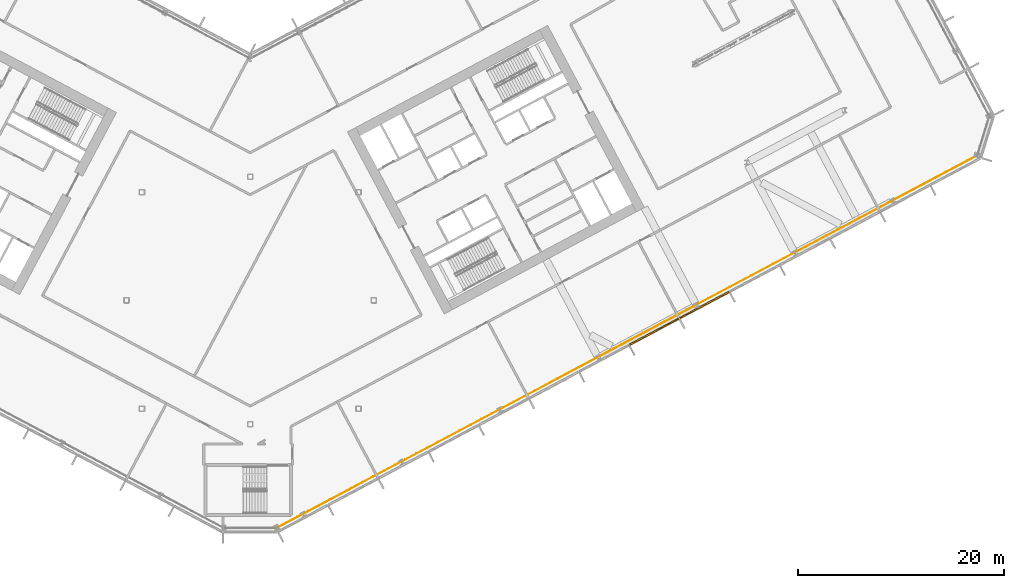
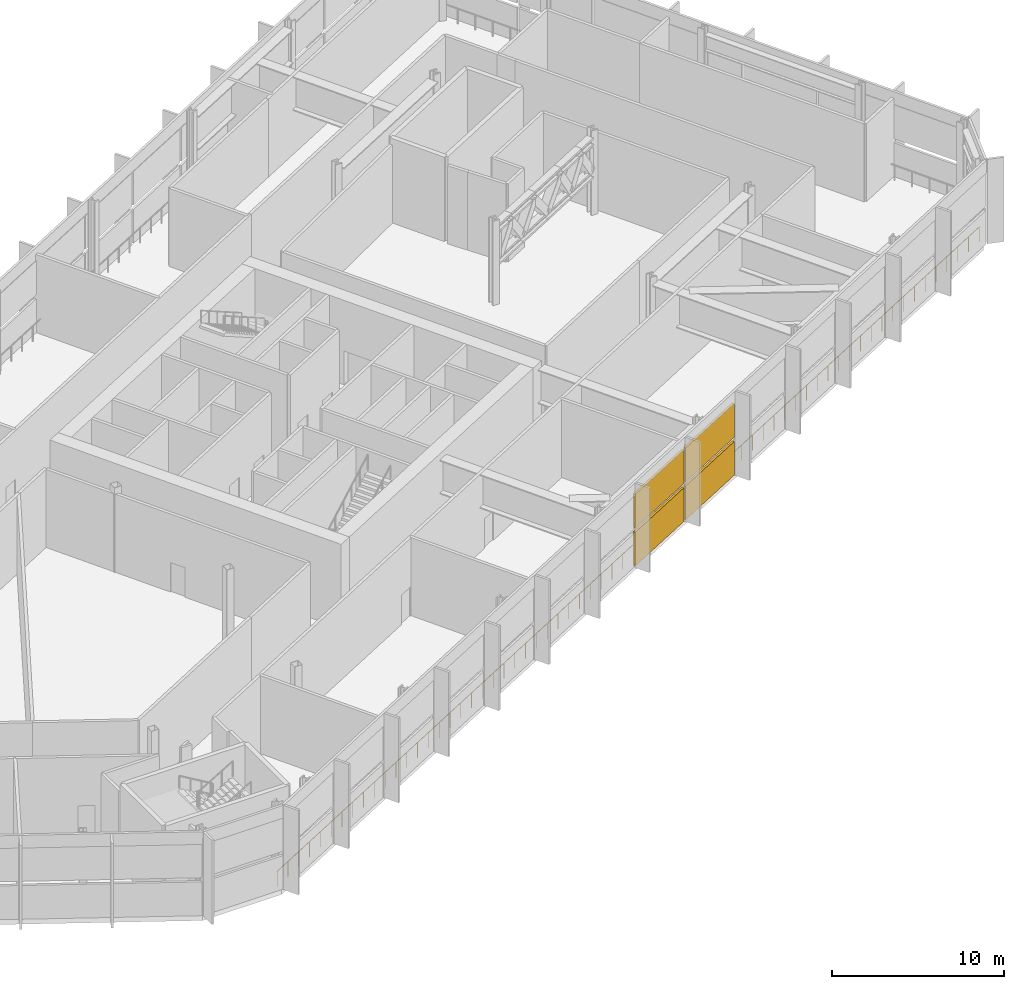
# One storey, part 28 of 33: 4 shading devices, 1 railing, 1 element without a shape of its own.
"""IFC4 building model written with IfcOpenShell, lengths in metres."""

from ifc_helpers import new_model, si_unit, direction, frame, origin, origin_2d, place, context, subcontext, project, spatial, polyline, rectangle, outline, extrude, material, layer, layer_set, type_object, element, aggregate, save


model = new_model("IFC4")

# Units and contexts
model_context = context("Model", 3, precision=1e-05, world=origin(), true_north=direction((0.0, 1.0)))
body_context = subcontext(model_context, "Body", "Model", "MODEL_VIEW")
ifc_project = project(units=[si_unit("LENGTHUNIT", "METRE"), si_unit("AREAUNIT", "SQUARE_METRE"), si_unit("VOLUMEUNIT", "CUBIC_METRE"), si_unit("PLANEANGLEUNIT", "RADIAN"), si_unit("MASSUNIT", "GRAM", prefix="KILO")], contexts=[model_context])

# Site, building, storey
site_placement = place(None, origin())
site = spatial("IfcSite", under=ifc_project, at=site_placement, CompositionType="ELEMENT")
building_placement = place(site_placement, origin())
building = spatial("IfcBuilding", under=site, at=building_placement, Name="Cormorant Relay Tower", CompositionType="ELEMENT")
storey_placement = place(building_placement, frame((0.0, 0.0, 112.199951171875)))
storey = spatial("IfcBuildingStorey", under=building, at=storey_placement, Name="L22", CompositionType="ELEMENT", Elevation=112.199951171875)

# Railing
ifc_material_1 = material(Name="Stainless steel 316 guard", Category="steel")
railing_type = type_object("IfcRailingType", Name="Band louvre guard 1100", PredefinedType="GUARDRAIL", material=ifc_material_1)
railing_placement = place(storey_placement, frame((2.508056640625, -22.110595703125, 0.0)))
element("IfcRailing", 1, at=railing_placement, inside=storey, type_object=railing_type, Name="CW4 guard 2", PredefinedType="GUARDRAIL", context=body_context, shape_type="SweptSolid", body=[
    extrude(outline(polyline([(0.022216796875, 0.00927734375), (0.00927734375, 0.022216796875), (-0.00927734375, 0.022216796875), (-0.022216796875, 0.00927734375), (-0.022216796875, -0.00927734375), (-0.00927734375, -0.022216796875), (0.00927734375, -0.022216796875), (0.022216796875, -0.00927734375), (0.022216796875, 0.00927734375)])), frame((0.0, 0.0, 1.076171875), z_axis=(0.882947957359, 0.469470877261, 0.0), x_axis=(-0.469470877261, 0.882947957359, 0.0)), (0.0, 0.0, 1.0), 77.165771484375),
    extrude(outline(polyline([(0.019287109375, 0.008056640625), (0.008056640625, 0.019287109375), (-0.008056640625, 0.019287109375), (-0.019287109375, 0.008056640625), (-0.019287109375, -0.008056640625), (-0.008056640625, -0.019287109375), (0.008056640625, -0.019287109375), (0.019287109375, -0.008056640625), (0.019287109375, 0.008056640625)])), origin(), (0.0, 0.0, 1.0), 1.052001953125),
    extrude(outline(polyline([(0.019287109375, 0.008056640625), (0.008056640625, 0.019287109375), (-0.008056640625, 0.019287109375), (-0.019287109375, 0.008056640625), (-0.019287109375, -0.008056640625), (-0.008056640625, -0.019287109375), (0.008056640625, -0.019287109375), (0.019287109375, -0.008056640625), (0.019287109375, 0.008056640625)])), frame((1.048095703125, 0.557373046875, 0.0)), (0.0, 0.0, 1.0), 1.052001953125),
    extrude(outline(polyline([(0.019287109375, 0.008056640625), (0.008056640625, 0.019287109375), (-0.008056640625, 0.019287109375), (-0.019287109375, 0.008056640625), (-0.019287109375, -0.008056640625), (-0.008056640625, -0.019287109375), (0.008056640625, -0.019287109375), (0.019287109375, -0.008056640625), (0.019287109375, 0.008056640625)])), frame((2.096435546875, 1.11474609375, 0.0)), (0.0, 0.0, 1.0), 1.052001953125),
    extrude(outline(polyline([(0.019287109375, 0.008056640625), (0.008056640625, 0.019287109375), (-0.008056640625, 0.019287109375), (-0.019287109375, 0.008056640625), (-0.019287109375, -0.008056640625), (-0.008056640625, -0.019287109375), (0.008056640625, -0.019287109375), (0.019287109375, -0.008056640625), (0.019287109375, 0.008056640625)])), frame((3.14453125, 1.672119140625, 0.0)), (0.0, 0.0, 1.0), 1.052001953125),
    extrude(outline(polyline([(0.019287109375, 0.008056640625), (0.008056640625, 0.019287109375), (-0.008056640625, 0.019287109375), (-0.019287109375, 0.008056640625), (-0.019287109375, -0.008056640625), (-0.008056640625, -0.019287109375), (0.008056640625, -0.019287109375), (0.019287109375, -0.008056640625), (0.019287109375, 0.008056640625)])), frame((4.19287109375, 2.229248046875, 0.0)), (0.0, 0.0, 1.0), 1.052001953125),
    extrude(outline(polyline([(0.019287109375, 0.008056640625), (0.008056640625, 0.019287109375), (-0.008056640625, 0.019287109375), (-0.019287109375, 0.008056640625), (-0.019287109375, -0.008056640625), (-0.008056640625, -0.019287109375), (0.008056640625, -0.019287109375), (0.019287109375, -0.008056640625), (0.019287109375, 0.008056640625)])), frame((5.240966796875, 2.78662109375, 0.0)), (0.0, 0.0, 1.0), 1.052001953125),
    extrude(outline(polyline([(0.019287109375, 0.008056640625), (0.008056640625, 0.019287109375), (-0.008056640625, 0.019287109375), (-0.019287109375, 0.008056640625), (-0.019287109375, -0.008056640625), (-0.008056640625, -0.019287109375), (0.008056640625, -0.019287109375), (0.019287109375, -0.008056640625), (0.019287109375, 0.008056640625)])), frame((6.289306640625, 3.343994140625, 0.0)), (0.0, 0.0, 1.0), 1.052001953125),
    extrude(outline(polyline([(0.019287109375, 0.008056640625), (0.008056640625, 0.019287109375), (-0.008056640625, 0.019287109375), (-0.019287109375, 0.008056640625), (-0.019287109375, -0.008056640625), (-0.008056640625, -0.019287109375), (0.008056640625, -0.019287109375), (0.019287109375, -0.008056640625), (0.019287109375, 0.008056640625)])), frame((7.33740234375, 3.9013671875, 0.0)), (0.0, 0.0, 1.0), 1.052001953125),
    extrude(outline(polyline([(0.019287109375, 0.008056640625), (0.008056640625, 0.019287109375), (-0.008056640625, 0.019287109375), (-0.019287109375, 0.008056640625), (-0.019287109375, -0.008056640625), (-0.008056640625, -0.019287109375), (0.008056640625, -0.019287109375), (0.019287109375, -0.008056640625), (0.019287109375, 0.008056640625)])), frame((8.3857421875, 4.458740234375, 0.0)), (0.0, 0.0, 1.0), 1.052001953125),
    extrude(outline(polyline([(0.019287109375, 0.008056640625), (0.008056640625, 0.019287109375), (-0.008056640625, 0.019287109375), (-0.019287109375, 0.008056640625), (-0.019287109375, -0.008056640625), (-0.008056640625, -0.019287109375), (0.008056640625, -0.019287109375), (0.019287109375, -0.008056640625), (0.019287109375, 0.008056640625)])), frame((9.433837890625, 5.01611328125, 0.0)), (0.0, 0.0, 1.0), 1.052001953125),
    extrude(outline(polyline([(0.019287109375, 0.008056640625), (0.008056640625, 0.019287109375), (-0.008056640625, 0.019287109375), (-0.019287109375, 0.008056640625), (-0.019287109375, -0.008056640625), (-0.008056640625, -0.019287109375), (0.008056640625, -0.019287109375), (0.019287109375, -0.008056640625), (0.019287109375, 0.008056640625)])), frame((10.48193359375, 5.573486328125, 0.0)), (0.0, 0.0, 1.0), 1.052001953125),
    extrude(outline(polyline([(0.019287109375, 0.008056640625), (0.008056640625, 0.019287109375), (-0.008056640625, 0.019287109375), (-0.019287109375, 0.008056640625), (-0.019287109375, -0.008056640625), (-0.008056640625, -0.019287109375), (0.008056640625, -0.019287109375), (0.019287109375, -0.008056640625), (0.019287109375, 0.008056640625)])), frame((11.5302734375, 6.130615234375, 0.0)), (0.0, 0.0, 1.0), 1.052001953125),
    extrude(outline(polyline([(0.019287109375, 0.008056640625), (0.008056640625, 0.019287109375), (-0.008056640625, 0.019287109375), (-0.019287109375, 0.008056640625), (-0.019287109375, -0.008056640625), (-0.008056640625, -0.019287109375), (0.008056640625, -0.019287109375), (0.019287109375, -0.008056640625), (0.019287109375, 0.008056640625)])), frame((12.578369140625, 6.68798828125, 0.0)), (0.0, 0.0, 1.0), 1.052001953125),
    extrude(outline(polyline([(0.019287109375, 0.008056640625), (0.008056640625, 0.019287109375), (-0.008056640625, 0.019287109375), (-0.019287109375, 0.008056640625), (-0.019287109375, -0.008056640625), (-0.008056640625, -0.019287109375), (0.008056640625, -0.019287109375), (0.019287109375, -0.008056640625), (0.019287109375, 0.008056640625)])), frame((13.626708984375, 7.245361328125, 0.0)), (0.0, 0.0, 1.0), 1.052001953125),
    extrude(outline(polyline([(0.019287109375, 0.008056640625), (0.008056640625, 0.019287109375), (-0.008056640625, 0.019287109375), (-0.019287109375, 0.008056640625), (-0.019287109375, -0.008056640625), (-0.008056640625, -0.019287109375), (0.008056640625, -0.019287109375), (0.019287109375, -0.008056640625), (0.019287109375, 0.008056640625)])), frame((14.6748046875, 7.802734375, 0.0)), (0.0, 0.0, 1.0), 1.052001953125),
    extrude(outline(polyline([(0.019287109375, 0.008056640625), (0.008056640625, 0.019287109375), (-0.008056640625, 0.019287109375), (-0.019287109375, 0.008056640625), (-0.019287109375, -0.008056640625), (-0.008056640625, -0.019287109375), (0.008056640625, -0.019287109375), (0.019287109375, -0.008056640625), (0.019287109375, 0.008056640625)])), frame((15.72314453125, 8.360107421875, 0.0)), (0.0, 0.0, 1.0), 1.052001953125),
    extrude(outline(polyline([(0.019287109375, 0.008056640625), (0.008056640625, 0.019287109375), (-0.008056640625, 0.019287109375), (-0.019287109375, 0.008056640625), (-0.019287109375, -0.008056640625), (-0.008056640625, -0.019287109375), (0.008056640625, -0.019287109375), (0.019287109375, -0.008056640625), (0.019287109375, 0.008056640625)])), frame((16.771240234375, 8.91748046875, 0.0)), (0.0, 0.0, 1.0), 1.052001953125),
    extrude(outline(polyline([(0.019287109375, 0.008056640625), (0.008056640625, 0.019287109375), (-0.008056640625, 0.019287109375), (-0.019287109375, 0.008056640625), (-0.019287109375, -0.008056640625), (-0.008056640625, -0.019287109375), (0.008056640625, -0.019287109375), (0.019287109375, -0.008056640625), (0.019287109375, 0.008056640625)])), frame((17.819580078125, 9.474853515625, 0.0)), (0.0, 0.0, 1.0), 1.052001953125),
    extrude(outline(polyline([(0.019287109375, 0.008056640625), (0.008056640625, 0.019287109375), (-0.008056640625, 0.019287109375), (-0.019287109375, 0.008056640625), (-0.019287109375, -0.008056640625), (-0.008056640625, -0.019287109375), (0.008056640625, -0.019287109375), (0.019287109375, -0.008056640625), (0.019287109375, 0.008056640625)])), frame((18.86767578125, 10.0322265625, 0.0)), (0.0, 0.0, 1.0), 1.052001953125),
    extrude(outline(polyline([(0.019287109375, 0.008056640625), (0.008056640625, 0.019287109375), (-0.008056640625, 0.019287109375), (-0.019287109375, 0.008056640625), (-0.019287109375, -0.008056640625), (-0.008056640625, -0.019287109375), (0.008056640625, -0.019287109375), (0.019287109375, -0.008056640625), (0.019287109375, 0.008056640625)])), frame((19.915771484375, 10.58935546875, 0.0)), (0.0, 0.0, 1.0), 1.052001953125),
    extrude(outline(polyline([(0.019287109375, 0.008056640625), (0.008056640625, 0.019287109375), (-0.008056640625, 0.019287109375), (-0.019287109375, 0.008056640625), (-0.019287109375, -0.008056640625), (-0.008056640625, -0.019287109375), (0.008056640625, -0.019287109375), (0.019287109375, -0.008056640625), (0.019287109375, 0.008056640625)])), frame((20.964111328125, 11.146728515625, 0.0)), (0.0, 0.0, 1.0), 1.052001953125),
    extrude(outline(polyline([(0.019287109375, 0.008056640625), (0.008056640625, 0.019287109375), (-0.008056640625, 0.019287109375), (-0.019287109375, 0.008056640625), (-0.019287109375, -0.008056640625), (-0.008056640625, -0.019287109375), (0.008056640625, -0.019287109375), (0.019287109375, -0.008056640625), (0.019287109375, 0.008056640625)])), frame((22.01220703125, 11.7041015625, 0.0)), (0.0, 0.0, 1.0), 1.052001953125),
    extrude(outline(polyline([(0.019287109375, 0.008056640625), (0.008056640625, 0.019287109375), (-0.008056640625, 0.019287109375), (-0.019287109375, 0.008056640625), (-0.019287109375, -0.008056640625), (-0.008056640625, -0.019287109375), (0.008056640625, -0.019287109375), (0.019287109375, -0.008056640625), (0.019287109375, 0.008056640625)])), frame((23.060546875, 12.261474609375, 0.0)), (0.0, 0.0, 1.0), 1.052001953125),
    extrude(outline(polyline([(0.019287109375, 0.008056640625), (0.008056640625, 0.019287109375), (-0.008056640625, 0.019287109375), (-0.019287109375, 0.008056640625), (-0.019287109375, -0.008056640625), (-0.008056640625, -0.019287109375), (0.008056640625, -0.019287109375), (0.019287109375, -0.008056640625), (0.019287109375, 0.008056640625)])), frame((24.108642578125, 12.81884765625, 0.0)), (0.0, 0.0, 1.0), 1.052001953125),
    extrude(outline(polyline([(0.019287109375, 0.008056640625), (0.008056640625, 0.019287109375), (-0.008056640625, 0.019287109375), (-0.019287109375, 0.008056640625), (-0.019287109375, -0.008056640625), (-0.008056640625, -0.019287109375), (0.008056640625, -0.019287109375), (0.019287109375, -0.008056640625), (0.019287109375, 0.008056640625)])), frame((25.156982421875, 13.376220703125, 0.0)), (0.0, 0.0, 1.0), 1.052001953125),
    extrude(outline(polyline([(0.019287109375, 0.008056640625), (0.008056640625, 0.019287109375), (-0.008056640625, 0.019287109375), (-0.019287109375, 0.008056640625), (-0.019287109375, -0.008056640625), (-0.008056640625, -0.019287109375), (0.008056640625, -0.019287109375), (0.019287109375, -0.008056640625), (0.019287109375, 0.008056640625)])), frame((26.205078125, 13.93359375, 0.0)), (0.0, 0.0, 1.0), 1.052001953125),
    extrude(outline(polyline([(0.019287109375, 0.008056640625), (0.008056640625, 0.019287109375), (-0.008056640625, 0.019287109375), (-0.019287109375, 0.008056640625), (-0.019287109375, -0.008056640625), (-0.008056640625, -0.019287109375), (0.008056640625, -0.019287109375), (0.019287109375, -0.008056640625), (0.019287109375, 0.008056640625)])), frame((27.25341796875, 14.49072265625, 0.0)), (0.0, 0.0, 1.0), 1.052001953125),
    extrude(outline(polyline([(0.019287109375, 0.008056640625), (0.008056640625, 0.019287109375), (-0.008056640625, 0.019287109375), (-0.019287109375, 0.008056640625), (-0.019287109375, -0.008056640625), (-0.008056640625, -0.019287109375), (0.008056640625, -0.019287109375), (0.019287109375, -0.008056640625), (0.019287109375, 0.008056640625)])), frame((28.301513671875, 15.048095703125, 0.0)), (0.0, 0.0, 1.0), 1.052001953125),
    extrude(outline(polyline([(0.019287109375, 0.008056640625), (0.008056640625, 0.019287109375), (-0.008056640625, 0.019287109375), (-0.019287109375, 0.008056640625), (-0.019287109375, -0.008056640625), (-0.008056640625, -0.019287109375), (0.008056640625, -0.019287109375), (0.019287109375, -0.008056640625), (0.019287109375, 0.008056640625)])), frame((29.349609375, 15.60546875, 0.0)), (0.0, 0.0, 1.0), 1.052001953125),
    extrude(outline(polyline([(0.019287109375, 0.008056640625), (0.008056640625, 0.019287109375), (-0.008056640625, 0.019287109375), (-0.019287109375, 0.008056640625), (-0.019287109375, -0.008056640625), (-0.008056640625, -0.019287109375), (0.008056640625, -0.019287109375), (0.019287109375, -0.008056640625), (0.019287109375, 0.008056640625)])), frame((30.39794921875, 16.162841796875, 0.0)), (0.0, 0.0, 1.0), 1.052001953125),
    extrude(outline(polyline([(0.019287109375, 0.008056640625), (0.008056640625, 0.019287109375), (-0.008056640625, 0.019287109375), (-0.019287109375, 0.008056640625), (-0.019287109375, -0.008056640625), (-0.008056640625, -0.019287109375), (0.008056640625, -0.019287109375), (0.019287109375, -0.008056640625), (0.019287109375, 0.008056640625)])), frame((31.446044921875, 16.72021484375, 0.0)), (0.0, 0.0, 1.0), 1.052001953125),
    extrude(outline(polyline([(0.019287109375, 0.008056640625), (0.008056640625, 0.019287109375), (-0.008056640625, 0.019287109375), (-0.019287109375, 0.008056640625), (-0.019287109375, -0.008056640625), (-0.008056640625, -0.019287109375), (0.008056640625, -0.019287109375), (0.019287109375, -0.008056640625), (0.019287109375, 0.008056640625)])), frame((32.494384765625, 17.277587890625, 0.0)), (0.0, 0.0, 1.0), 1.052001953125),
    extrude(outline(polyline([(0.019287109375, 0.008056640625), (0.008056640625, 0.019287109375), (-0.008056640625, 0.019287109375), (-0.019287109375, 0.008056640625), (-0.019287109375, -0.008056640625), (-0.008056640625, -0.019287109375), (0.008056640625, -0.019287109375), (0.019287109375, -0.008056640625), (0.019287109375, 0.008056640625)])), frame((33.54248046875, 17.8349609375, 0.0)), (0.0, 0.0, 1.0), 1.052001953125),
    extrude(outline(polyline([(0.019287109375, 0.008056640625), (0.008056640625, 0.019287109375), (-0.008056640625, 0.019287109375), (-0.019287109375, 0.008056640625), (-0.019287109375, -0.008056640625), (-0.008056640625, -0.019287109375), (0.008056640625, -0.019287109375), (0.019287109375, -0.008056640625), (0.019287109375, 0.008056640625)])), frame((34.5908203125, 18.39208984375, 0.0)), (0.0, 0.0, 1.0), 1.052001953125),
    extrude(outline(polyline([(0.019287109375, 0.008056640625), (0.008056640625, 0.019287109375), (-0.008056640625, 0.019287109375), (-0.019287109375, 0.008056640625), (-0.019287109375, -0.008056640625), (-0.008056640625, -0.019287109375), (0.008056640625, -0.019287109375), (0.019287109375, -0.008056640625), (0.019287109375, 0.008056640625)])), frame((35.638916015625, 18.949462890625, 0.0)), (0.0, 0.0, 1.0), 1.052001953125),
    extrude(outline(polyline([(0.019287109375, 0.008056640625), (0.008056640625, 0.019287109375), (-0.008056640625, 0.019287109375), (-0.019287109375, 0.008056640625), (-0.019287109375, -0.008056640625), (-0.008056640625, -0.019287109375), (0.008056640625, -0.019287109375), (0.019287109375, -0.008056640625), (0.019287109375, 0.008056640625)])), frame((36.687255859375, 19.5068359375, 0.0)), (0.0, 0.0, 1.0), 1.052001953125),
    extrude(outline(polyline([(0.019287109375, 0.008056640625), (0.008056640625, 0.019287109375), (-0.008056640625, 0.019287109375), (-0.019287109375, 0.008056640625), (-0.019287109375, -0.008056640625), (-0.008056640625, -0.019287109375), (0.008056640625, -0.019287109375), (0.019287109375, -0.008056640625), (0.019287109375, 0.008056640625)])), frame((37.7353515625, 20.064208984375, 0.0)), (0.0, 0.0, 1.0), 1.052001953125),
    extrude(outline(polyline([(0.019287109375, 0.008056640625), (0.008056640625, 0.019287109375), (-0.008056640625, 0.019287109375), (-0.019287109375, 0.008056640625), (-0.019287109375, -0.008056640625), (-0.008056640625, -0.019287109375), (0.008056640625, -0.019287109375), (0.019287109375, -0.008056640625), (0.019287109375, 0.008056640625)])), frame((38.78369140625, 20.62158203125, 0.0)), (0.0, 0.0, 1.0), 1.052001953125),
    extrude(outline(polyline([(0.019287109375, 0.008056640625), (0.008056640625, 0.019287109375), (-0.008056640625, 0.019287109375), (-0.019287109375, 0.008056640625), (-0.019287109375, -0.008056640625), (-0.008056640625, -0.019287109375), (0.008056640625, -0.019287109375), (0.019287109375, -0.008056640625), (0.019287109375, 0.008056640625)])), frame((39.831787109375, 21.178955078125, 0.0)), (0.0, 0.0, 1.0), 1.052001953125),
    extrude(outline(polyline([(0.019287109375, 0.008056640625), (0.008056640625, 0.019287109375), (-0.008056640625, 0.019287109375), (-0.019287109375, 0.008056640625), (-0.019287109375, -0.008056640625), (-0.008056640625, -0.019287109375), (0.008056640625, -0.019287109375), (0.019287109375, -0.008056640625), (0.019287109375, 0.008056640625)])), frame((40.8798828125, 21.736328125, 0.0)), (0.0, 0.0, 1.0), 1.052001953125),
    extrude(outline(polyline([(0.019287109375, 0.008056640625), (0.008056640625, 0.019287109375), (-0.008056640625, 0.019287109375), (-0.019287109375, 0.008056640625), (-0.019287109375, -0.008056640625), (-0.008056640625, -0.019287109375), (0.008056640625, -0.019287109375), (0.019287109375, -0.008056640625), (0.019287109375, 0.008056640625)])), frame((41.92822265625, 22.29345703125, 0.0)), (0.0, 0.0, 1.0), 1.052001953125),
    extrude(outline(polyline([(0.019287109375, 0.008056640625), (0.008056640625, 0.019287109375), (-0.008056640625, 0.019287109375), (-0.019287109375, 0.008056640625), (-0.019287109375, -0.008056640625), (-0.008056640625, -0.019287109375), (0.008056640625, -0.019287109375), (0.019287109375, -0.008056640625), (0.019287109375, 0.008056640625)])), frame((42.976318359375, 22.850830078125, 0.0)), (0.0, 0.0, 1.0), 1.052001953125),
    extrude(outline(polyline([(0.019287109375, 0.008056640625), (0.008056640625, 0.019287109375), (-0.008056640625, 0.019287109375), (-0.019287109375, 0.008056640625), (-0.019287109375, -0.008056640625), (-0.008056640625, -0.019287109375), (0.008056640625, -0.019287109375), (0.019287109375, -0.008056640625), (0.019287109375, 0.008056640625)])), frame((44.024658203125, 23.408203125, 0.0)), (0.0, 0.0, 1.0), 1.052001953125),
    extrude(outline(polyline([(0.019287109375, 0.008056640625), (0.008056640625, 0.019287109375), (-0.008056640625, 0.019287109375), (-0.019287109375, 0.008056640625), (-0.019287109375, -0.008056640625), (-0.008056640625, -0.019287109375), (0.008056640625, -0.019287109375), (0.019287109375, -0.008056640625), (0.019287109375, 0.008056640625)])), frame((45.07275390625, 23.965576171875, 0.0)), (0.0, 0.0, 1.0), 1.052001953125),
    extrude(outline(polyline([(0.019287109375, 0.008056640625), (0.008056640625, 0.019287109375), (-0.008056640625, 0.019287109375), (-0.019287109375, 0.008056640625), (-0.019287109375, -0.008056640625), (-0.008056640625, -0.019287109375), (0.008056640625, -0.019287109375), (0.019287109375, -0.008056640625), (0.019287109375, 0.008056640625)])), frame((46.12109375, 24.52294921875, 0.0)), (0.0, 0.0, 1.0), 1.052001953125),
    extrude(outline(polyline([(0.019287109375, 0.008056640625), (0.008056640625, 0.019287109375), (-0.008056640625, 0.019287109375), (-0.019287109375, 0.008056640625), (-0.019287109375, -0.008056640625), (-0.008056640625, -0.019287109375), (0.008056640625, -0.019287109375), (0.019287109375, -0.008056640625), (0.019287109375, 0.008056640625)])), frame((47.169189453125, 25.080322265625, 0.0)), (0.0, 0.0, 1.0), 1.052001953125),
    extrude(outline(polyline([(0.019287109375, 0.008056640625), (0.008056640625, 0.019287109375), (-0.008056640625, 0.019287109375), (-0.019287109375, 0.008056640625), (-0.019287109375, -0.008056640625), (-0.008056640625, -0.019287109375), (0.008056640625, -0.019287109375), (0.019287109375, -0.008056640625), (0.019287109375, 0.008056640625)])), frame((48.217529296875, 25.6376953125, 0.0)), (0.0, 0.0, 1.0), 1.052001953125),
    extrude(outline(polyline([(0.019287109375, 0.008056640625), (0.008056640625, 0.019287109375), (-0.008056640625, 0.019287109375), (-0.019287109375, 0.008056640625), (-0.019287109375, -0.008056640625), (-0.008056640625, -0.019287109375), (0.008056640625, -0.019287109375), (0.019287109375, -0.008056640625), (0.019287109375, 0.008056640625)])), frame((49.265625, 26.19482421875, 0.0)), (0.0, 0.0, 1.0), 1.052001953125),
    extrude(outline(polyline([(0.019287109375, 0.008056640625), (0.008056640625, 0.019287109375), (-0.008056640625, 0.019287109375), (-0.019287109375, 0.008056640625), (-0.019287109375, -0.008056640625), (-0.008056640625, -0.019287109375), (0.008056640625, -0.019287109375), (0.019287109375, -0.008056640625), (0.019287109375, 0.008056640625)])), frame((50.313720703125, 26.752197265625, 0.0)), (0.0, 0.0, 1.0), 1.052001953125),
    extrude(outline(polyline([(0.019287109375, 0.008056640625), (0.008056640625, 0.019287109375), (-0.008056640625, 0.019287109375), (-0.019287109375, 0.008056640625), (-0.019287109375, -0.008056640625), (-0.008056640625, -0.019287109375), (0.008056640625, -0.019287109375), (0.019287109375, -0.008056640625), (0.019287109375, 0.008056640625)])), frame((51.362060546875, 27.3095703125, 0.0)), (0.0, 0.0, 1.0), 1.052001953125),
    extrude(outline(polyline([(0.019287109375, 0.008056640625), (0.008056640625, 0.019287109375), (-0.008056640625, 0.019287109375), (-0.019287109375, 0.008056640625), (-0.019287109375, -0.008056640625), (-0.008056640625, -0.019287109375), (0.008056640625, -0.019287109375), (0.019287109375, -0.008056640625), (0.019287109375, 0.008056640625)])), frame((52.41015625, 27.866943359375, 0.0)), (0.0, 0.0, 1.0), 1.052001953125),
    extrude(outline(polyline([(0.019287109375, 0.008056640625), (0.008056640625, 0.019287109375), (-0.008056640625, 0.019287109375), (-0.019287109375, 0.008056640625), (-0.019287109375, -0.008056640625), (-0.008056640625, -0.019287109375), (0.008056640625, -0.019287109375), (0.019287109375, -0.008056640625), (0.019287109375, 0.008056640625)])), frame((53.45849609375, 28.42431640625, 0.0)), (0.0, 0.0, 1.0), 1.052001953125),
    extrude(outline(polyline([(0.019287109375, 0.008056640625), (0.008056640625, 0.019287109375), (-0.008056640625, 0.019287109375), (-0.019287109375, 0.008056640625), (-0.019287109375, -0.008056640625), (-0.008056640625, -0.019287109375), (0.008056640625, -0.019287109375), (0.019287109375, -0.008056640625), (0.019287109375, 0.008056640625)])), frame((54.506591796875, 28.981689453125, 0.0)), (0.0, 0.0, 1.0), 1.052001953125),
    extrude(outline(polyline([(0.019287109375, 0.008056640625), (0.008056640625, 0.019287109375), (-0.008056640625, 0.019287109375), (-0.019287109375, 0.008056640625), (-0.019287109375, -0.008056640625), (-0.008056640625, -0.019287109375), (0.008056640625, -0.019287109375), (0.019287109375, -0.008056640625), (0.019287109375, 0.008056640625)])), frame((55.554931640625, 29.5390625, 0.0)), (0.0, 0.0, 1.0), 1.052001953125),
    extrude(outline(polyline([(0.019287109375, 0.008056640625), (0.008056640625, 0.019287109375), (-0.008056640625, 0.019287109375), (-0.019287109375, 0.008056640625), (-0.019287109375, -0.008056640625), (-0.008056640625, -0.019287109375), (0.008056640625, -0.019287109375), (0.019287109375, -0.008056640625), (0.019287109375, 0.008056640625)])), frame((56.60302734375, 30.096435546875, 0.0)), (0.0, 0.0, 1.0), 1.052001953125),
    extrude(outline(polyline([(0.019287109375, 0.008056640625), (0.008056640625, 0.019287109375), (-0.008056640625, 0.019287109375), (-0.019287109375, 0.008056640625), (-0.019287109375, -0.008056640625), (-0.008056640625, -0.019287109375), (0.008056640625, -0.019287109375), (0.019287109375, -0.008056640625), (0.019287109375, 0.008056640625)])), frame((57.6513671875, 30.653564453125, 0.0)), (0.0, 0.0, 1.0), 1.052001953125),
    extrude(outline(polyline([(0.019287109375, 0.008056640625), (0.008056640625, 0.019287109375), (-0.008056640625, 0.019287109375), (-0.019287109375, 0.008056640625), (-0.019287109375, -0.008056640625), (-0.008056640625, -0.019287109375), (0.008056640625, -0.019287109375), (0.019287109375, -0.008056640625), (0.019287109375, 0.008056640625)])), frame((58.699462890625, 31.2109375, 0.0)), (0.0, 0.0, 1.0), 1.052001953125),
    extrude(outline(polyline([(0.019287109375, 0.008056640625), (0.008056640625, 0.019287109375), (-0.008056640625, 0.019287109375), (-0.019287109375, 0.008056640625), (-0.019287109375, -0.008056640625), (-0.008056640625, -0.019287109375), (0.008056640625, -0.019287109375), (0.019287109375, -0.008056640625), (0.019287109375, 0.008056640625)])), frame((59.74755859375, 31.768310546875, 0.0)), (0.0, 0.0, 1.0), 1.052001953125),
    extrude(outline(polyline([(0.019287109375, 0.008056640625), (0.008056640625, 0.019287109375), (-0.008056640625, 0.019287109375), (-0.019287109375, 0.008056640625), (-0.019287109375, -0.008056640625), (-0.008056640625, -0.019287109375), (0.008056640625, -0.019287109375), (0.019287109375, -0.008056640625), (0.019287109375, 0.008056640625)])), frame((60.7958984375, 32.32568359375, 0.0)), (0.0, 0.0, 1.0), 1.052001953125),
    extrude(outline(polyline([(0.019287109375, 0.008056640625), (0.008056640625, 0.019287109375), (-0.008056640625, 0.019287109375), (-0.019287109375, 0.008056640625), (-0.019287109375, -0.008056640625), (-0.008056640625, -0.019287109375), (0.008056640625, -0.019287109375), (0.019287109375, -0.008056640625), (0.019287109375, 0.008056640625)])), frame((61.843994140625, 32.883056640625, 0.0)), (0.0, 0.0, 1.0), 1.052001953125),
    extrude(outline(polyline([(0.019287109375, 0.008056640625), (0.008056640625, 0.019287109375), (-0.008056640625, 0.019287109375), (-0.019287109375, 0.008056640625), (-0.019287109375, -0.008056640625), (-0.008056640625, -0.019287109375), (0.008056640625, -0.019287109375), (0.019287109375, -0.008056640625), (0.019287109375, 0.008056640625)])), frame((62.892333984375, 33.4404296875, 0.0)), (0.0, 0.0, 1.0), 1.052001953125),
    extrude(outline(polyline([(0.019287109375, 0.008056640625), (0.008056640625, 0.019287109375), (-0.008056640625, 0.019287109375), (-0.019287109375, 0.008056640625), (-0.019287109375, -0.008056640625), (-0.008056640625, -0.019287109375), (0.008056640625, -0.019287109375), (0.019287109375, -0.008056640625), (0.019287109375, 0.008056640625)])), frame((63.9404296875, 33.997802734375, 0.0)), (0.0, 0.0, 1.0), 1.052001953125),
    extrude(outline(polyline([(0.019287109375, 0.008056640625), (0.008056640625, 0.019287109375), (-0.008056640625, 0.019287109375), (-0.019287109375, 0.008056640625), (-0.019287109375, -0.008056640625), (-0.008056640625, -0.019287109375), (0.008056640625, -0.019287109375), (0.019287109375, -0.008056640625), (0.019287109375, 0.008056640625)])), frame((64.98876953125, 34.554931640625, 0.0)), (0.0, 0.0, 1.0), 1.052001953125),
    extrude(outline(polyline([(0.019287109375, 0.008056640625), (0.008056640625, 0.019287109375), (-0.008056640625, 0.019287109375), (-0.019287109375, 0.008056640625), (-0.019287109375, -0.008056640625), (-0.008056640625, -0.019287109375), (0.008056640625, -0.019287109375), (0.019287109375, -0.008056640625), (0.019287109375, 0.008056640625)])), frame((66.036865234375, 35.1123046875, 0.0)), (0.0, 0.0, 1.0), 1.052001953125),
    extrude(outline(polyline([(0.019287109375, 0.008056640625), (0.008056640625, 0.019287109375), (-0.008056640625, 0.019287109375), (-0.019287109375, 0.008056640625), (-0.019287109375, -0.008056640625), (-0.008056640625, -0.019287109375), (0.008056640625, -0.019287109375), (0.019287109375, -0.008056640625), (0.019287109375, 0.008056640625)])), frame((67.085205078125, 35.669677734375, 0.0)), (0.0, 0.0, 1.0), 1.052001953125),
    extrude(outline(polyline([(0.019287109375, 0.008056640625), (0.008056640625, 0.019287109375), (-0.008056640625, 0.019287109375), (-0.019287109375, 0.008056640625), (-0.019287109375, -0.008056640625), (-0.008056640625, -0.019287109375), (0.008056640625, -0.019287109375), (0.019287109375, -0.008056640625), (0.019287109375, 0.008056640625)])), frame((68.13330078125, 36.22705078125, 0.0)), (0.0, 0.0, 1.0), 1.052001953125),
])

# Curtain wall, shading devices
ifc_material_2 = material(Name="Aluminium 6063-T6 anodised bronze", Category="aluminium")
ifc_layer = layer(ifc_material_2, 0.199951171875)
ifc_layer_set = layer_set([ifc_layer], Name="CW4 band louvre wall")
curtain_wall_type = type_object("IfcCurtainWallType", Name="CW4 band louvre wall", PredefinedType="NOTDEFINED", material=ifc_layer_set)
curtain_wall_placement = place(storey_placement, origin())
curtain_wall = element("IfcCurtainWall", 2, at=curtain_wall_placement, inside=storey, type_object=curtain_wall_type, Name="CW4 curtain wall 2", PredefinedType="NOTDEFINED")
ifc_material_3 = material(Name="Aluminium 6063-T6 anodised bronze louvre", Category="aluminium")
shading_device_type = type_object("IfcShadingDeviceType", Name="CW4 bronze louvre bank 150 x 2400", PredefinedType="USERDEFINED", material=ifc_material_3)
shading_device_1_placement = place(storey_placement, frame((39.18408203125, -3.034423828125, 2.7001953125), z_axis=(0.0, 0.0, 1.0), x_axis=(0.882947592859, 0.469471562786, 0.0)))
shading_device_1 = element("IfcShadingDevice", 3, at=shading_device_1_placement, type_object=shading_device_type, Name="CW4 louvre bank U2.8", ObjectType="LOUVRE", PredefinedType="USERDEFINED", context=body_context, shape_type="SweptSolid", body=[
    extrude(rectangle(XDim=5.36181640625, YDim=0.14990234375, at=origin_2d()), origin(), (0.0, 0.0, 1.0), 2.39990234375),
])
shading_device_2_placement = place(storey_placement, frame((39.18408203125, -3.034423828125, 0.0), z_axis=(0.0, 0.0, 1.0), x_axis=(0.882947592859, 0.469471562786, 0.0)))
shading_device_2 = element("IfcShadingDevice", 4, at=shading_device_2_placement, type_object=shading_device_type, Name="CW4 louvre bank D2.8", ObjectType="LOUVRE", PredefinedType="USERDEFINED", context=body_context, shape_type="SweptSolid", body=[
    extrude(rectangle(XDim=5.36181640625, YDim=0.14990234375, at=origin_2d()), origin(), (0.0, 0.0, 1.0), 2.39990234375),
])
shading_device_3_placement = place(storey_placement, frame((44.05078125, -0.44677734375, 2.7001953125), z_axis=(0.0, 0.0, 1.0), x_axis=(0.882947592859, 0.469471562786, 0.0)))
shading_device_3 = element("IfcShadingDevice", 5, at=shading_device_3_placement, type_object=shading_device_type, Name="CW4 louvre bank U2.9", ObjectType="LOUVRE", PredefinedType="USERDEFINED", context=body_context, shape_type="SweptSolid", body=[
    extrude(rectangle(XDim=5.36181640625, YDim=0.14990234375, at=origin_2d()), origin(), (0.0, 0.0, 1.0), 2.39990234375),
])
shading_device_4_placement = place(storey_placement, frame((44.05078125, -0.44677734375, 0.0), z_axis=(0.0, 0.0, 1.0), x_axis=(0.882947592859, 0.469471562786, 0.0)))
shading_device_4 = element("IfcShadingDevice", 6, at=shading_device_4_placement, type_object=shading_device_type, Name="CW4 louvre bank D2.9", ObjectType="LOUVRE", PredefinedType="USERDEFINED", context=body_context, shape_type="SweptSolid", body=[
    extrude(rectangle(XDim=5.36181640625, YDim=0.14990234375, at=origin_2d()), origin(), (0.0, 0.0, 1.0), 2.39990234375),
])
aggregate(curtain_wall, [shading_device_1, shading_device_2, shading_device_3, shading_device_4])

save(model, "model.ifc")
